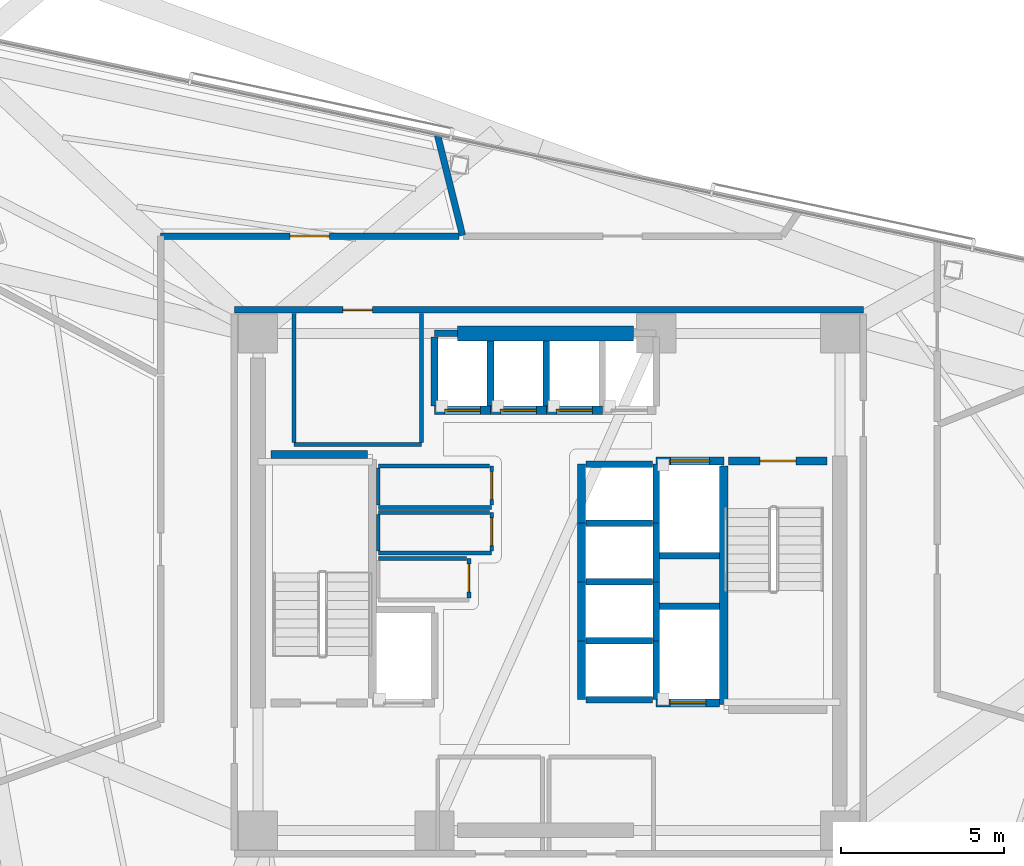
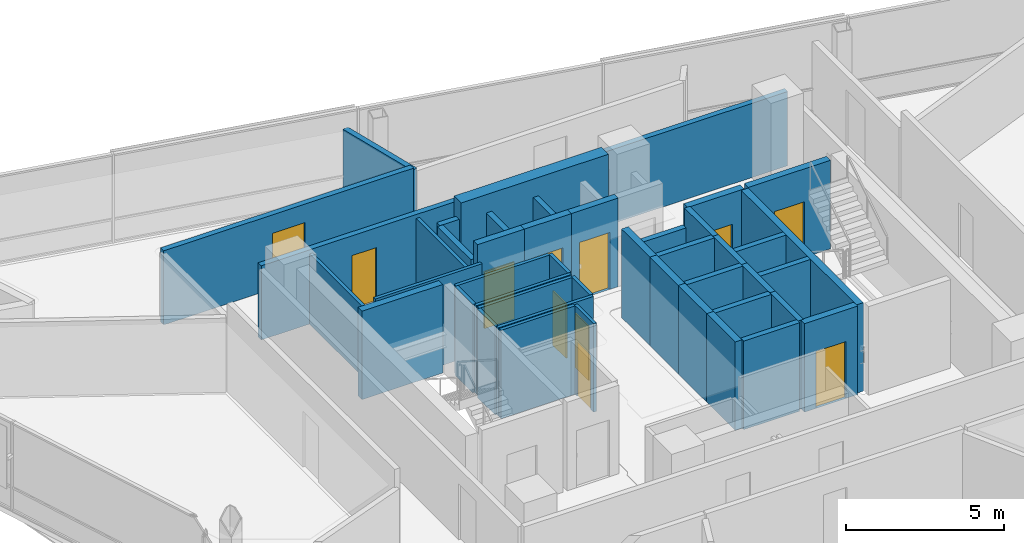
# One storey, part 11 of 17: 44 walls, 11 doors, 11 openings.
"""IFC4 building model written with IfcOpenShell, lengths in metres."""

from ifc_helpers import new_model, si_unit, direction, frame, frame_2d, origin, place, context, subcontext, project, spatial, rectangle, extrude, material, layer, layer_set, type_object, element, fill, save


model = new_model("IFC4")

# Units and contexts
model_context = context("Model", 3, precision=1e-05, world=origin(), true_north=direction((0.0, 1.0)))
body_context = subcontext(model_context, "Body", "Model", "MODEL_VIEW")
ifc_project = project(units=[si_unit("LENGTHUNIT", "METRE"), si_unit("AREAUNIT", "SQUARE_METRE"), si_unit("VOLUMEUNIT", "CUBIC_METRE"), si_unit("PLANEANGLEUNIT", "RADIAN"), si_unit("MASSUNIT", "GRAM", prefix="KILO")], contexts=[model_context])

# Site, building, storey
site_placement = place(None, origin())
site = spatial("IfcSite", under=ifc_project, at=site_placement, CompositionType="ELEMENT")
building_placement = place(site_placement, origin())
building = spatial("IfcBuilding", under=site, at=building_placement, Name="Tharavind Bronze Gate", CompositionType="ELEMENT")
storey_placement = place(building_placement, frame((0.0, 0.0, 196.85009765625)))
storey = spatial("IfcBuildingStorey", under=building, at=storey_placement, Name="L50", CompositionType="ELEMENT", Elevation=196.85009765625)

# Wall, opening, door
ifc_material_1 = material(Name="Aerated Concrete Block", Category="concrete")
ifc_layer_1 = layer(ifc_material_1, 0.199951171875)
ifc_layer_set_1 = layer_set([ifc_layer_1], Name="Aerated Concrete Block")
wall_type_1 = type_object("IfcWallType", Name="FIRE RATED PARTITION 200", PredefinedType="PARTITIONING", material=ifc_layer_set_1)
wall_1_placement = place(storey_placement, frame((9.6201171875, 8.320068359375, 0.0), z_axis=(0.0, 0.0, 1.0), x_axis=(-1.0, 0.0, 0.0)))
wall_1 = element("IfcWall", 1, at=wall_1_placement, inside=storey, type_object=wall_type_1, Name="L50 north core corridor wall", PredefinedType="PARTITIONING", context=body_context, shape_type="SweptSolid", body=[
    extrude(rectangle(XDim=19.240234375, YDim=0.199951171875, at=frame_2d((9.6201171875, 0.0))), origin(), (0.0, 0.0, 1.0), 2.864990234375),
])
opening_1_placement = place(wall_1_placement, frame((15.02001953125, 0.0, 0.0)))
opening_1 = element("IfcOpeningElement", 2, at=opening_1_placement, cuts=wall_1, Name="Opening ID07", PredefinedType="OPENING", context=body_context, shape_type="SweptSolid", body=[
    extrude(rectangle(XDim=0.89990234375, YDim=2.10009765625, at=frame_2d((0.449951171875, 1.050048828125))), frame((0.0, 0.11009765625, 0.0), z_axis=(0.0, -1.0, 0.0), x_axis=(1.0, 0.0, 0.0)), (0.0, 0.0, 1.0), 0.219951171875),
])
ifc_material_2 = material(Name="Galvanised Fire Steel", Category="steel")
door_type_1 = type_object("IfcDoorType", Name="PLANT AND RISER FIRE DOOR 900X2100", OperationType="SINGLE_SWING_LEFT", PredefinedType="DOOR", material=ifc_material_2)
door_1_placement = place(opening_1_placement, frame((0.89990234375, 0.0, 0.0), z_axis=(0.0, 0.0, 1.0), x_axis=(-1.0, 0.0, 0.0)))
door_1 = element("IfcDoor", 3, at=door_1_placement, inside=storey, type_object=door_type_1, Name="L50 Electrical Switch Room fire door", OperationType="SINGLE_SWING_LEFT", OverallHeight=2.10009765625, OverallWidth=0.89990234375, PredefinedType="DOOR", context=body_context, shape_type="SweptSolid", body=[
    extrude(rectangle(XDim=0.89990234375, YDim=2.10009765625, at=frame_2d((0.449951171875, 1.050048828125))), frame((0.0, 0.02490234375, 0.0), z_axis=(0.0, -1.0, 0.0), x_axis=(1.0, 0.0, 0.0)), (0.0, 0.0, 1.0), 0.050048828125),
])
fill(opening_1, door_1)

# Wall
wall_2_placement = place(storey_placement, frame((-2.642578125, 10.59912109375, 0.0), z_axis=(0.0, 0.0, 1.0), x_axis=(-0.241953175614, 0.970287926757, 0.0)))
element("IfcWall", 4, at=wall_2_placement, inside=storey, type_object=wall_type_1, Name="L50 Business Concierge Lounge partition", PredefinedType="PARTITIONING", context=body_context, shape_type="SweptSolid", body=[
    extrude(rectangle(XDim=3.15625, YDim=0.199951171875, at=frame_2d((1.578125, 0.0))), origin(), (0.0, 0.0, 1.0), 2.71484375),
])

# Wall, opening, door
wall_3_placement = place(storey_placement, frame((-2.74609375, 10.580078125, 0.0), z_axis=(0.0, 0.0, 1.0), x_axis=(-1.0, 0.0, 0.0)))
wall_3 = element("IfcWall", 5, at=wall_3_placement, inside=storey, type_object=wall_type_1, Name="L50 Executive Briefing Room partition", PredefinedType="PARTITIONING", context=body_context, shape_type="SweptSolid", body=[
    extrude(rectangle(XDim=9.13330078125, YDim=0.199951171875, at=frame_2d((4.566650390625, 0.0))), origin(), (0.0, 0.0, 1.0), 2.864990234375),
])
opening_2_placement = place(wall_3_placement, frame((3.967041015625, 0.0, 0.0)))
opening_2 = element("IfcOpeningElement", 6, at=opening_2_placement, cuts=wall_3, Name="Opening ID05", PredefinedType="OPENING", context=body_context, shape_type="SweptSolid", body=[
    extrude(rectangle(XDim=1.199951171875, YDim=2.14990234375, at=frame_2d((0.60009765625, 1.074951171875))), frame((0.0, 0.11009765625, 0.0), z_axis=(0.0, -1.0, 0.0), x_axis=(1.0, 0.0, 0.0)), (0.0, 0.0, 1.0), 0.219951171875),
])
ifc_material_3 = material(Name="Acoustic Laminated Glass", Category="glass")
door_type_2 = type_object("IfcDoorType", Name="MEETING ROOM GLAZED DOOR 1200X2150", OperationType="SINGLE_SWING_LEFT", PredefinedType="DOOR", material=ifc_material_3)
door_2_placement = place(opening_2_placement, origin())
door_2 = element("IfcDoor", 7, at=door_2_placement, inside=storey, type_object=door_type_2, Name="L50 Executive Briefing Room door", OperationType="SINGLE_SWING_LEFT", OverallHeight=2.14990234375, OverallWidth=1.199951171875, PredefinedType="DOOR", context=body_context, shape_type="SweptSolid", body=[
    extrude(rectangle(XDim=1.199951171875, YDim=2.14990234375, at=frame_2d((0.60009765625, 1.074951171875))), frame((0.0, 0.02490234375, 0.0), z_axis=(0.0, -1.0, 0.0), x_axis=(1.0, 0.0, 0.0)), (0.0, 0.0, 1.0), 0.050048828125),
])
fill(opening_2, door_2)

# Wall
ifc_material_4 = material(Name="Metal Stud Gypsum Partition", Category="gypsum")
ifc_layer_2 = layer(ifc_material_4, 0.1201171875)
ifc_layer_set_2 = layer_set([ifc_layer_2], Name="Metal Stud Gypsum Partition")
wall_type_2 = type_object("IfcWallType", Name="INTERIOR PARTITION WALL 120", PredefinedType="PARTITIONING", material=ifc_layer_set_2)
wall_4_placement = place(storey_placement, frame((-5.219970703125, 2.280029296875, 0.0), z_axis=(0.0, 0.0, 1.0), x_axis=(1.0, 0.0, 0.0)))
element("IfcWall", 8, at=wall_4_placement, inside=storey, type_object=wall_type_2, Name="L50 Housekeeping Linen Store partition 1", PredefinedType="PARTITIONING", context=body_context, shape_type="SweptSolid", body=[
    extrude(rectangle(XDim=3.469970703125, YDim=0.1201171875, at=frame_2d((1.73486328125, 0.0))), origin(), (0.0, 0.0, 1.0), 3.419921875),
])

# Wall, opening, door
wall_5_placement = place(storey_placement, frame((-1.75, 2.344970703125, 0.0), z_axis=(0.0, 0.0, 1.0), x_axis=(0.0, 1.0, 0.0)))
wall_5 = element("IfcWall", 9, at=wall_5_placement, inside=storey, type_object=wall_type_2, Name="L50 Housekeeping Linen Store partition 2", PredefinedType="PARTITIONING", context=body_context, shape_type="SweptSolid", body=[
    extrude(rectangle(XDim=1.205078125, YDim=0.1201171875, at=frame_2d((0.6025390625, 0.0))), origin(), (0.0, 0.0, 1.0), 3.419921875),
])
opening_3_placement = place(wall_5_placement, frame((0.177001953125, 0.0, 0.0)))
opening_3 = element("IfcOpeningElement", 10, at=opening_3_placement, cuts=wall_5, Name="Opening ID06", PredefinedType="OPENING", context=body_context, shape_type="SweptSolid", body=[
    extrude(rectangle(XDim=0.85009765625, YDim=2.10009765625, at=frame_2d((0.425048828125, 1.050048828125))), frame((0.0, 0.07005859375, 0.0), z_axis=(0.0, -1.0, 0.0), x_axis=(1.0, 0.0, 0.0)), (0.0, 0.0, 1.0), 0.1401171875),
])
ifc_material_5 = material(Name="Moisture-Resistant Timber", Category="wood")
door_type_3 = type_object("IfcDoorType", Name="BATHROOM PRIVACY DOOR 850X2100", OperationType="SINGLE_SWING_RIGHT", PredefinedType="DOOR", material=ifc_material_5)
door_3_placement = place(opening_3_placement, frame((0.85009765625, 0.0, 0.0), z_axis=(0.0, 0.0, 1.0), x_axis=(-1.0, 0.0, 0.0)))
door_3 = element("IfcDoor", 11, at=door_3_placement, inside=storey, type_object=door_type_3, Name="L50 Housekeeping Linen Store door", OperationType="SINGLE_SWING_RIGHT", OverallHeight=2.10009765625, OverallWidth=0.85009765625, PredefinedType="DOOR", context=body_context, shape_type="SweptSolid", body=[
    extrude(rectangle(XDim=0.85009765625, YDim=2.10009765625, at=frame_2d((0.425048828125, 1.050048828125))), frame((0.0, 0.02490234375, 0.0), z_axis=(0.0, -1.0, 0.0), x_axis=(1.0, 0.0, 0.0)), (0.0, 0.0, 1.0), 0.050048828125),
])
fill(opening_3, door_3)

# Walls
wall_6_placement = place(storey_placement, frame((-1.81494140625, 3.550048828125, 0.0), z_axis=(0.0, 0.0, 1.0), x_axis=(-1.0, 0.0, 0.0)))
element("IfcWall", 12, at=wall_6_placement, inside=storey, type_object=wall_type_2, Name="L50 Housekeeping Linen Store partition 3", PredefinedType="PARTITIONING", context=body_context, shape_type="SweptSolid", body=[
    extrude(rectangle(XDim=3.405029296875, YDim=0.1201171875, at=frame_2d((1.70263671875, 0.0))), origin(), (0.0, 0.0, 1.0), 3.419921875),
])
wall_7_placement = place(storey_placement, frame((-5.219970703125, 3.485107421875, 0.0), z_axis=(0.0, 0.0, 1.0), x_axis=(0.0, -1.0, 0.0)))
element("IfcWall", 13, at=wall_7_placement, inside=storey, type_object=wall_type_2, Name="L50 Housekeeping Linen Store partition 4", PredefinedType="PARTITIONING", context=body_context, shape_type="SweptSolid", body=[
    extrude(rectangle(XDim=1.14013671875, YDim=0.1201171875, at=frame_2d((0.570068359375, 0.0))), origin(), (0.0, 0.0, 1.0), 3.419921875),
])
wall_8_placement = place(storey_placement, frame((-5.219970703125, 0.8798828125, 0.0), z_axis=(0.0, 0.0, 1.0), x_axis=(1.0, 0.0, 0.0)))
element("IfcWall", 14, at=wall_8_placement, inside=storey, type_object=wall_type_2, Name="L50 Comms Data Room partition 1", PredefinedType="PARTITIONING", context=body_context, shape_type="SweptSolid", body=[
    extrude(rectangle(XDim=3.469970703125, YDim=0.1201171875, at=frame_2d((1.73486328125, 0.0))), origin(), (0.0, 0.0, 1.0), 3.419921875),
])

# Wall, opening, door
wall_9_placement = place(storey_placement, frame((-1.75, 0.945068359375, 0.0), z_axis=(0.0, 0.0, 1.0), x_axis=(0.0, 1.0, 0.0)))
wall_9 = element("IfcWall", 15, at=wall_9_placement, inside=storey, type_object=wall_type_2, Name="L50 Comms Data Room partition 2", PredefinedType="PARTITIONING", context=body_context, shape_type="SweptSolid", body=[
    extrude(rectangle(XDim=1.175048828125, YDim=0.1201171875, at=frame_2d((0.58740234375, 0.0))), origin(), (0.0, 0.0, 1.0), 3.419921875),
])
opening_4_placement = place(wall_9_placement, frame((0.1630859375, 0.0, 0.0)))
opening_4 = element("IfcOpeningElement", 16, at=opening_4_placement, cuts=wall_9, Name="Opening ID06", PredefinedType="OPENING", context=body_context, shape_type="SweptSolid", body=[
    extrude(rectangle(XDim=0.85009765625, YDim=2.10009765625, at=frame_2d((0.425048828125, 1.050048828125))), frame((0.0, 0.07005859375, 0.0), z_axis=(0.0, -1.0, 0.0), x_axis=(1.0, 0.0, 0.0)), (0.0, 0.0, 1.0), 0.1401171875),
])
door_4_placement = place(opening_4_placement, frame((0.85009765625, 0.0, 0.0), z_axis=(0.0, 0.0, 1.0), x_axis=(-1.0, 0.0, 0.0)))
door_4 = element("IfcDoor", 17, at=door_4_placement, inside=storey, type_object=door_type_3, Name="L50 Comms Data Room door", OperationType="SINGLE_SWING_RIGHT", OverallHeight=2.10009765625, OverallWidth=0.85009765625, PredefinedType="DOOR", context=body_context, shape_type="SweptSolid", body=[
    extrude(rectangle(XDim=0.85009765625, YDim=2.10009765625, at=frame_2d((0.425048828125, 1.050048828125))), frame((0.0, 0.02490234375, 0.0), z_axis=(0.0, -1.0, 0.0), x_axis=(1.0, 0.0, 0.0)), (0.0, 0.0, 1.0), 0.050048828125),
])
fill(opening_4, door_4)

# Walls
wall_10_placement = place(storey_placement, frame((-1.81494140625, 2.1201171875, 0.0), z_axis=(0.0, 0.0, 1.0), x_axis=(-1.0, 0.0, 0.0)))
element("IfcWall", 18, at=wall_10_placement, inside=storey, type_object=wall_type_2, Name="L50 Comms Data Room partition 3", PredefinedType="PARTITIONING", context=body_context, shape_type="SweptSolid", body=[
    extrude(rectangle(XDim=3.405029296875, YDim=0.1201171875, at=frame_2d((1.70263671875, 0.0))), origin(), (0.0, 0.0, 1.0), 3.419921875),
])
wall_11_placement = place(storey_placement, frame((-5.219970703125, 2.054931640625, 0.0), z_axis=(0.0, 0.0, 1.0), x_axis=(0.0, -1.0, 0.0)))
element("IfcWall", 19, at=wall_11_placement, inside=storey, type_object=wall_type_2, Name="L50 Comms Data Room partition 4", PredefinedType="PARTITIONING", context=body_context, shape_type="SweptSolid", body=[
    extrude(rectangle(XDim=1.10986328125, YDim=0.1201171875, at=frame_2d((0.554931640625, 0.0))), origin(), (0.0, 0.0, 1.0), 3.419921875),
])

# Wall, opening, door
wall_12_placement = place(storey_placement, frame((-2.449951171875, -0.485107421875, 0.0), z_axis=(0.0, 0.0, 1.0), x_axis=(0.0, 1.0, 0.0)))
wall_12 = element("IfcWall", 20, at=wall_12_placement, inside=storey, type_object=wall_type_2, Name="L50 Electrical Metering Store partition 2", PredefinedType="PARTITIONING", context=body_context, shape_type="SweptSolid", body=[
    extrude(rectangle(XDim=1.205078125, YDim=0.1201171875, at=frame_2d((0.6025390625, 0.0))), origin(), (0.0, 0.0, 1.0), 3.419921875),
])
opening_5_placement = place(wall_12_placement, frame((0.177978515625, 0.0, 0.0)))
opening_5 = element("IfcOpeningElement", 21, at=opening_5_placement, cuts=wall_12, Name="Opening ID06", PredefinedType="OPENING", context=body_context, shape_type="SweptSolid", body=[
    extrude(rectangle(XDim=0.85009765625, YDim=2.10009765625, at=frame_2d((0.425048828125, 1.050048828125))), frame((0.0, 0.07005859375, 0.0), z_axis=(0.0, -1.0, 0.0), x_axis=(1.0, 0.0, 0.0)), (0.0, 0.0, 1.0), 0.1401171875),
])
door_5_placement = place(opening_5_placement, frame((0.85009765625, 0.0, 0.0), z_axis=(0.0, 0.0, 1.0), x_axis=(-1.0, 0.0, 0.0)))
door_5 = element("IfcDoor", 22, at=door_5_placement, inside=storey, type_object=door_type_3, Name="L50 Electrical Metering Store door", OperationType="SINGLE_SWING_RIGHT", OverallHeight=2.10009765625, OverallWidth=0.85009765625, PredefinedType="DOOR", context=body_context, shape_type="SweptSolid", body=[
    extrude(rectangle(XDim=0.85009765625, YDim=2.10009765625, at=frame_2d((0.425048828125, 1.050048828125))), frame((0.0, 0.02490234375, 0.0), z_axis=(0.0, -1.0, 0.0), x_axis=(1.0, 0.0, 0.0)), (0.0, 0.0, 1.0), 0.050048828125),
])
fill(opening_5, door_5)

# Walls
wall_13_placement = place(storey_placement, frame((-2.514892578125, 0.719970703125, 0.0), z_axis=(0.0, 0.0, 1.0), x_axis=(-1.0, 0.0, 0.0)))
element("IfcWall", 23, at=wall_13_placement, inside=storey, type_object=wall_type_2, Name="L50 Electrical Metering Store partition 3", PredefinedType="PARTITIONING", context=body_context, shape_type="SweptSolid", body=[
    extrude(rectangle(XDim=2.705078125, YDim=0.1201171875, at=frame_2d((1.3525390625, 0.0))), origin(), (0.0, 0.0, 1.0), 3.419921875),
])
wall_14_placement = place(storey_placement, frame((-7.800048828125, 4.199951171875, 0.0), z_axis=(0.0, 0.0, 1.0), x_axis=(1.0, 0.0, 0.0)))
element("IfcWall", 24, at=wall_14_placement, inside=storey, type_object=wall_type_2, Name="L50 Electrical Switch Room partition 1", PredefinedType="PARTITIONING", context=body_context, shape_type="SweptSolid", body=[
    extrude(rectangle(XDim=3.900146484375, YDim=0.1201171875, at=frame_2d((1.9501953125, 0.0))), origin(), (0.0, 0.0, 1.0), 3.419921875),
])
for number, where, z_axis, x_axis, name in (
    (25, (-3.89990234375, 4.264892578125, 0.0), (0.0, 0.0, 1.0), (0.0, 1.0, 0.0), "L50 Electrical Switch Room partition 2"),
    (26, (-7.800048828125, 8.215087890625, 0.0), (0.0, 0.0, 1.0), (0.0, -1.0, 0.0), "L50 Electrical Switch Room partition 4"),
):
    element("IfcWall", number, at=place(storey_placement, frame(where, z_axis=z_axis, x_axis=x_axis)), inside=storey, type_object=wall_type_2, Name=name, PredefinedType="PARTITIONING", context=body_context, shape_type="SweptSolid", body=[
        extrude(rectangle(XDim=3.9501953125, YDim=0.1201171875, at=frame_2d((1.97509765625, 0.0))), origin(), (0.0, 0.0, 1.0), 2.71484375),
    ])
ifc_material_6 = material(Name="Concrete C50/60", Category="concrete")
ifc_layer_3 = layer(ifc_material_6, 0.25)
ifc_layer_set_3 = layer_set([ifc_layer_3], Name="Concrete C50/60")
wall_type_3 = type_object("IfcWallType", Name="RC CORE SHEAR WALL 250", PredefinedType="SHEAR", material=ifc_layer_set_3)
wall_15_placement = place(storey_placement, frame((-8.5, 3.89990234375, 0.0), z_axis=(0.0, 0.0, 1.0), x_axis=(1.0, 0.0, 0.0)))
element("IfcWall", 27, at=wall_15_placement, inside=storey, type_object=wall_type_3, Name="L50 ST1 shaft north wall", PredefinedType="SHEAR", context=body_context, shape_type="SweptSolid", body=[
    extrude(rectangle(XDim=2.949951171875, YDim=0.25, at=frame_2d((1.47509765625, 0.0))), origin(), (0.0, 0.0, 1.0), 3.419921875),
])
wall_16_placement = place(storey_placement, frame((5.35009765625, -3.75, 0.0), z_axis=(0.0, 0.0, 1.0), x_axis=(0.0, 1.0, 0.0)))
element("IfcWall", 28, at=wall_16_placement, inside=storey, type_object=wall_type_3, Name="L50 ST2 shaft west wall", PredefinedType="SHEAR", context=body_context, shape_type="SweptSolid", body=[
    extrude(rectangle(XDim=7.300048828125, YDim=0.25, at=frame_2d((3.64990234375, 0.0))), origin(), (0.0, 0.0, 1.0), 3.419921875),
])

# Wall, opening, door
wall_17_placement = place(storey_placement, frame((5.5, 3.699951171875, 0.0), z_axis=(0.0, 0.0, 1.0), x_axis=(1.0, 0.0, 0.0)))
wall_17 = element("IfcWall", 29, at=wall_17_placement, inside=storey, type_object=wall_type_3, Name="L50 ST2 shaft north wall", PredefinedType="SHEAR", context=body_context, shape_type="SweptSolid", body=[
    extrude(rectangle(XDim=3.0, YDim=0.25, at=frame_2d((1.5, 0.0))), origin(), (0.0, 0.0, 1.0), 3.419921875),
])
opening_6_placement = place(wall_17_placement, frame((0.949951171875, 0.0, 0.0)))
opening_6 = element("IfcOpeningElement", 30, at=opening_6_placement, cuts=wall_17, Name="Opening ID01", PredefinedType="OPENING", context=body_context, shape_type="SweptSolid", body=[
    extrude(rectangle(XDim=1.10009765625, YDim=2.14990234375, at=frame_2d((0.550048828125, 1.074951171875))), frame((0.0, 0.135, 0.0), z_axis=(0.0, -1.0, 0.0), x_axis=(1.0, 0.0, 0.0)), (0.0, 0.0, 1.0), 0.27),
])
ifc_material_7 = material(Name="Fire-Rated Steel", Category="steel")
door_type_4 = type_object("IfcDoorType", Name="STAIR CORE FIRE DOOR 1100X2150", OperationType="SINGLE_SWING_LEFT", PredefinedType="DOOR", material=ifc_material_7)
door_6_placement = place(opening_6_placement, frame((1.10009765625, 0.0, 0.0), z_axis=(0.0, 0.0, 1.0), x_axis=(-1.0, 0.0, 0.0)))
door_6 = element("IfcDoor", 31, at=door_6_placement, inside=storey, type_object=door_type_4, Name="L50 exit stair ST2 fire door", OperationType="SINGLE_SWING_LEFT", OverallHeight=2.14990234375, OverallWidth=1.10009765625, PredefinedType="DOOR", context=body_context, shape_type="SweptSolid", body=[
    extrude(rectangle(XDim=1.10009765625, YDim=2.14990234375, at=frame_2d((0.550048828125, 1.074951171875))), frame((0.0, 0.02490234375, 0.0), z_axis=(0.0, -1.0, 0.0), x_axis=(1.0, 0.0, 0.0)), (0.0, 0.0, 1.0), 0.050048828125),
])
fill(opening_6, door_6)

wall_18_placement = place(storey_placement, frame((-3.5, 5.25, 0.0), z_axis=(0.0, 0.0, 1.0), x_axis=(1.0, 0.0, 0.0)))
wall_18 = element("IfcWall", 32, at=wall_18_placement, inside=storey, type_object=wall_type_3, Name="L50 lift PL5 shaft front wall", PredefinedType="SHEAR", context=body_context, shape_type="SweptSolid", body=[
    extrude(rectangle(XDim=1.71240234375, YDim=0.25, at=frame_2d((0.856201171875, 0.0))), origin(), (0.0, 0.0, 1.0), 3.419921875),
])
opening_7_placement = place(wall_18_placement, frame((0.305908203125, 0.0, 0.0)))
opening_7 = element("IfcOpeningElement", 33, at=opening_7_placement, cuts=wall_18, Name="Opening LD01", PredefinedType="OPENING", context=body_context, shape_type="SweptSolid", body=[
    extrude(rectangle(XDim=1.10009765625, YDim=2.199951171875, at=frame_2d((0.550048828125, 1.10009765625))), frame((0.0, 0.135, 0.0), z_axis=(0.0, -1.0, 0.0), x_axis=(1.0, 0.0, 0.0)), (0.0, 0.0, 1.0), 0.27),
])
ifc_material_8 = material(Name="Brushed Bronze Stainless Steel", Category="steel")
door_type_5 = type_object("IfcDoorType", Name="LIFT LANDING SLIDING DOOR 1100X2200", OperationType="SLIDING_TO_LEFT", PredefinedType="DOOR", material=ifc_material_8)
door_7_placement = place(opening_7_placement, origin())
door_7 = element("IfcDoor", 34, at=door_7_placement, inside=storey, type_object=door_type_5, Name="L50 lift PL5 sliding landing door", OperationType="SLIDING_TO_LEFT", OverallHeight=2.199951171875, OverallWidth=1.10009765625, PredefinedType="DOOR", context=body_context, shape_type="SweptSolid", body=[
    extrude(rectangle(XDim=1.10009765625, YDim=2.199951171875, at=frame_2d((0.550048828125, 1.10009765625))), frame((0.0, 0.02490234375, 0.0), z_axis=(0.0, -1.0, 0.0), x_axis=(1.0, 0.0, 0.0)), (0.0, 0.0, 1.0), 0.050048828125),
])
fill(opening_7, door_7)

wall_19_placement = place(storey_placement, frame((-1.78759765625, 5.25, 0.0), z_axis=(0.0, 0.0, 1.0), x_axis=(1.0, 0.0, 0.0)))
wall_19 = element("IfcWall", 35, at=wall_19_placement, inside=storey, type_object=wall_type_3, Name="L50 lift PL6 shaft front wall", PredefinedType="SHEAR", context=body_context, shape_type="SweptSolid", body=[
    extrude(rectangle(XDim=1.712646484375, YDim=0.25, at=frame_2d((0.8564453125, 0.0))), origin(), (0.0, 0.0, 1.0), 3.419921875),
])
opening_8_placement = place(wall_19_placement, frame((0.305908203125, 0.0, 0.0)))
opening_8 = element("IfcOpeningElement", 36, at=opening_8_placement, cuts=wall_19, Name="Opening LD01", PredefinedType="OPENING", context=body_context, shape_type="SweptSolid", body=[
    extrude(rectangle(XDim=1.10009765625, YDim=2.199951171875, at=frame_2d((0.550048828125, 1.10009765625))), frame((0.0, 0.135, 0.0), z_axis=(0.0, -1.0, 0.0), x_axis=(1.0, 0.0, 0.0)), (0.0, 0.0, 1.0), 0.27),
])
door_8_placement = place(opening_8_placement, origin())
door_8 = element("IfcDoor", 37, at=door_8_placement, inside=storey, type_object=door_type_5, Name="L50 lift PL6 sliding landing door", OperationType="SLIDING_TO_LEFT", OverallHeight=2.199951171875, OverallWidth=1.10009765625, PredefinedType="DOOR", context=body_context, shape_type="SweptSolid", body=[
    extrude(rectangle(XDim=1.10009765625, YDim=2.199951171875, at=frame_2d((0.550048828125, 1.10009765625))), frame((0.0, 0.02490234375, 0.0), z_axis=(0.0, -1.0, 0.0), x_axis=(1.0, 0.0, 0.0)), (0.0, 0.0, 1.0), 0.050048828125),
])
fill(opening_8, door_8)

wall_20_placement = place(storey_placement, frame((-0.074951171875, 5.25, 0.0), z_axis=(0.0, 0.0, 1.0), x_axis=(1.0, 0.0, 0.0)))
wall_20 = element("IfcWall", 38, at=wall_20_placement, inside=storey, type_object=wall_type_3, Name="L50 lift PL7 shaft front wall", PredefinedType="SHEAR", context=body_context, shape_type="SweptSolid", body=[
    extrude(rectangle(XDim=1.71240234375, YDim=0.25, at=frame_2d((0.856201171875, 0.0))), origin(), (0.0, 0.0, 1.0), 3.419921875),
])
opening_9_placement = place(wall_20_placement, frame((0.305908203125, 0.0, 0.0)))
opening_9 = element("IfcOpeningElement", 39, at=opening_9_placement, cuts=wall_20, Name="Opening LD01", PredefinedType="OPENING", context=body_context, shape_type="SweptSolid", body=[
    extrude(rectangle(XDim=1.10009765625, YDim=2.199951171875, at=frame_2d((0.550048828125, 1.10009765625))), frame((0.0, 0.135, 0.0), z_axis=(0.0, -1.0, 0.0), x_axis=(1.0, 0.0, 0.0)), (0.0, 0.0, 1.0), 0.27),
])
door_9_placement = place(opening_9_placement, origin())
door_9 = element("IfcDoor", 40, at=door_9_placement, inside=storey, type_object=door_type_5, Name="L50 lift PL7 sliding landing door", OperationType="SLIDING_TO_LEFT", OverallHeight=2.199951171875, OverallWidth=1.10009765625, PredefinedType="DOOR", context=body_context, shape_type="SweptSolid", body=[
    extrude(rectangle(XDim=1.10009765625, YDim=2.199951171875, at=frame_2d((0.550048828125, 1.10009765625))), frame((0.0, 0.02490234375, 0.0), z_axis=(0.0, -1.0, 0.0), x_axis=(1.0, 0.0, 0.0)), (0.0, 0.0, 1.0), 0.050048828125),
])
fill(opening_9, door_9)

# Walls
for number, where, z_axis, x_axis, name in (
    (41, (1.0, -3.60009765625, 0.0), (0.0, 0.0, 1.0), (0.0, 1.0, 0.0), "L50 lift PL9 shaft front wall"),
    (42, (1.0, -1.800048828125, 0.0), (0.0, 0.0, 1.0), (0.0, 1.0, 0.0), "L50 lift PL10 shaft front wall"),
    (43, (1.0, 0.0, 0.0), (0.0, 0.0, 1.0), (0.0, 1.0, 0.0), "L50 lift PL11 shaft front wall"),
    (44, (1.0, 1.800048828125, 0.0), (0.0, 0.0, 1.0), (0.0, 1.0, 0.0), "L50 lift PL12 shaft front wall"),
):
    element("IfcWall", number, at=place(storey_placement, frame(where, z_axis=z_axis, x_axis=x_axis)), inside=storey, type_object=wall_type_3, Name=name, PredefinedType="SHEAR", context=body_context, shape_type="SweptSolid", body=[
        extrude(rectangle(XDim=1.800048828125, YDim=0.25, at=frame_2d((0.89990234375, 0.0))), origin(), (0.0, 0.0, 1.0), 3.419921875),
    ])

# Wall, opening, door
wall_21_placement = place(storey_placement, frame((3.280029296875, 3.699951171875, 0.0), z_axis=(0.0, 0.0, 1.0), x_axis=(1.0, 0.0, 0.0)))
wall_21 = element("IfcWall", 45, at=wall_21_placement, inside=storey, type_object=wall_type_3, Name="L50 lift FFL2 shaft front wall", PredefinedType="SHEAR", context=body_context, shape_type="SweptSolid", body=[
    extrude(rectangle(XDim=2.070068359375, YDim=0.25, at=frame_2d((1.03515625, 0.0))), origin(), (0.0, 0.0, 1.0), 3.419921875),
])
opening_10_placement = place(wall_21_placement, frame((0.43505859375, 0.0, 0.0)))
opening_10 = element("IfcOpeningElement", 46, at=opening_10_placement, cuts=wall_21, Name="Opening LD02", PredefinedType="OPENING", context=body_context, shape_type="SweptSolid", body=[
    extrude(rectangle(XDim=1.199951171875, YDim=2.199951171875, at=frame_2d((0.60009765625, 1.10009765625))), frame((0.0, 0.135, 0.0), z_axis=(0.0, -1.0, 0.0), x_axis=(1.0, 0.0, 0.0)), (0.0, 0.0, 1.0), 0.27),
])
ifc_material_9 = material(Name="Brushed Stainless Steel", Category="steel")
door_type_6 = type_object("IfcDoorType", Name="FIREFIGHTING LIFT LANDING DOOR 1200X2200", OperationType="SLIDING_TO_RIGHT", PredefinedType="DOOR", material=ifc_material_9)
door_10_placement = place(opening_10_placement, origin())
door_10 = element("IfcDoor", 47, at=door_10_placement, inside=storey, type_object=door_type_6, Name="L50 lift FFL2 sliding landing door", OperationType="SLIDING_TO_RIGHT", OverallHeight=2.199951171875, OverallWidth=1.199951171875, PredefinedType="DOOR", context=body_context, shape_type="SweptSolid", body=[
    extrude(rectangle(XDim=1.199951171875, YDim=2.199951171875, at=frame_2d((0.60009765625, 1.10009765625))), frame((0.0, 0.02490234375, 0.0), z_axis=(0.0, -1.0, 0.0), x_axis=(1.0, 0.0, 0.0)), (0.0, 0.0, 1.0), 0.050048828125),
])
fill(opening_10, door_10)

wall_22_placement = place(storey_placement, frame((3.280029296875, -3.699951171875, 0.0), z_axis=(0.0, 0.0, 1.0), x_axis=(1.0, 0.0, 0.0)))
wall_22 = element("IfcWall", 48, at=wall_22_placement, inside=storey, type_object=wall_type_3, Name="L50 lift SVL1 shaft front wall", PredefinedType="SHEAR", context=body_context, shape_type="SweptSolid", body=[
    extrude(rectangle(XDim=1.93994140625, YDim=0.25, at=frame_2d((0.969970703125, 0.0))), origin(), (0.0, 0.0, 1.0), 3.419921875),
])
opening_11_placement = place(wall_22_placement, frame((0.419921875, 0.0, 0.0)))
opening_11 = element("IfcOpeningElement", 49, at=opening_11_placement, cuts=wall_22, Name="Opening LD01", PredefinedType="OPENING", context=body_context, shape_type="SweptSolid", body=[
    extrude(rectangle(XDim=1.10009765625, YDim=2.199951171875, at=frame_2d((0.550048828125, 1.10009765625))), frame((0.0, 0.135, 0.0), z_axis=(0.0, -1.0, 0.0), x_axis=(1.0, 0.0, 0.0)), (0.0, 0.0, 1.0), 0.27),
])
door_11_placement = place(opening_11_placement, origin())
door_11 = element("IfcDoor", 50, at=door_11_placement, inside=storey, type_object=door_type_5, Name="L50 lift SVL1 sliding landing door", OperationType="SLIDING_TO_LEFT", OverallHeight=2.199951171875, OverallWidth=1.10009765625, PredefinedType="DOOR", context=body_context, shape_type="SweptSolid", body=[
    extrude(rectangle(XDim=1.10009765625, YDim=2.199951171875, at=frame_2d((0.550048828125, 1.10009765625))), frame((0.0, 0.02490234375, 0.0), z_axis=(0.0, -1.0, 0.0), x_axis=(1.0, 0.0, 0.0)), (0.0, 0.0, 1.0), 0.050048828125),
])
fill(opening_11, door_11)

# Walls
ifc_material_10 = material(Name="Concrete C60/75", Category="concrete")
ifc_layer_4 = layer(ifc_material_10, 0.449951171875)
ifc_layer_set_4 = layer_set([ifc_layer_4], Name="Concrete C60/75")
wall_type_4 = type_object("IfcWallType", Name="RC CORE SHEAR WALL 450", PredefinedType="SHEAR", material=ifc_layer_set_4)
wall_23_placement = place(storey_placement, frame((-2.800048828125, 7.60009765625, 0.0), z_axis=(0.0, 0.0, 1.0), x_axis=(1.0, 0.0, 0.0)))
element("IfcWall", 51, at=wall_23_placement, inside=storey, type_object=wall_type_4, Name="L50 north core shear wall", PredefinedType="SHEAR", context=body_context, shape_type="SweptSolid", body=[
    extrude(rectangle(XDim=5.380126953125, YDim=0.449951171875, at=frame_2d((2.68994140625, 0.0))), origin(), (0.0, 0.0, 1.0), 3.419921875),
])
ifc_material_11 = material(Name="Concrete C40/50", Category="concrete")
ifc_layer_5 = layer(ifc_material_11, 0.199951171875)
ifc_layer_set_5 = layer_set([ifc_layer_5], Name="Concrete C40/50")
wall_type_5 = type_object("IfcWallType", Name="SHAFT ENCLOSURE WALL 200", PredefinedType="PARTITIONING", material=ifc_layer_set_5)
wall_24_placement = place(storey_placement, frame((-3.5, 7.60009765625, 0.0), z_axis=(0.0, 0.0, 1.0), x_axis=(1.0, 0.0, 0.0)))
element("IfcWall", 52, at=wall_24_placement, inside=storey, type_object=wall_type_5, Name="L50 lift PL5 shaft N enclosure wall", PredefinedType="PARTITIONING", context=body_context, shape_type="SweptSolid", body=[
    extrude(rectangle(XDim=0.699951171875, YDim=0.199951171875, at=frame_2d((0.35009765625, 0.0))), origin(), (0.0, 0.0, 1.0), 2.71484375),
])
wall_25_placement = place(storey_placement, frame((-3.5, 5.3798828125, 0.0), z_axis=(0.0, 0.0, 1.0), x_axis=(0.0, 1.0, 0.0)))
element("IfcWall", 53, at=wall_25_placement, inside=storey, type_object=wall_type_5, Name="L50 lift PL5 shaft W enclosure wall", PredefinedType="PARTITIONING", context=body_context, shape_type="SweptSolid", body=[
    extrude(rectangle(XDim=2.115234375, YDim=0.199951171875, at=frame_2d((1.0576171875, 0.0))), origin(), (0.0, 0.0, 1.0), 2.71484375),
])
for number, where, z_axis, x_axis, name in (
    (54, (-1.78759765625, 5.3798828125, 0.0), (0.0, 0.0, 1.0), (0.0, 1.0, 0.0), "L50 lift PL5 shaft E enclosure wall"),
    (55, (-0.074951171875, 5.3798828125, 0.0), (0.0, 0.0, 1.0), (0.0, 1.0, 0.0), "L50 lift PL6 shaft E enclosure wall"),
):
    element("IfcWall", number, at=place(storey_placement, frame(where, z_axis=z_axis, x_axis=x_axis)), inside=storey, type_object=wall_type_5, Name=name, PredefinedType="PARTITIONING", context=body_context, shape_type="SweptSolid", body=[
        extrude(rectangle(XDim=1.990234375, YDim=0.199951171875, at=frame_2d((0.9951171875, 0.0))), origin(), (0.0, 0.0, 1.0), 2.71484375),
    ])
wall_26_placement = place(storey_placement, frame((3.280029296875, -3.60009765625, 0.0), z_axis=(0.0, 0.0, 1.0), x_axis=(0.0, 1.0, 0.0)))
element("IfcWall", 56, at=wall_26_placement, inside=storey, type_object=wall_type_5, Name="L50 lift PL9 shaft E enclosure wall", PredefinedType="PARTITIONING", context=body_context, shape_type="SweptSolid", body=[
    extrude(rectangle(XDim=1.800048828125, YDim=0.199951171875, at=frame_2d((0.89990234375, 0.0))), origin(), (0.0, 0.0, 1.0), 3.419921875),
])
for number, where, z_axis, x_axis, name in (
    (57, (1.1298828125, -3.60009765625, 0.0), (0.0, 0.0, 1.0), (1.0, 0.0, 0.0), "L50 lift PL9 shaft S enclosure wall"),
    (58, (1.1298828125, -1.800048828125, 0.0), (0.0, 0.0, 1.0), (1.0, 0.0, 0.0), "L50 lift PL9 shaft N enclosure wall"),
):
    element("IfcWall", number, at=place(storey_placement, frame(where, z_axis=z_axis, x_axis=x_axis)), inside=storey, type_object=wall_type_5, Name=name, PredefinedType="PARTITIONING", context=body_context, shape_type="SweptSolid", body=[
        extrude(rectangle(XDim=2.045166015625, YDim=0.199951171875, at=frame_2d((1.0224609375, 0.0))), origin(), (0.0, 0.0, 1.0), 3.419921875),
    ])
wall_27_placement = place(storey_placement, frame((3.280029296875, -1.800048828125, 0.0), z_axis=(0.0, 0.0, 1.0), x_axis=(0.0, 1.0, 0.0)))
element("IfcWall", 59, at=wall_27_placement, inside=storey, type_object=wall_type_5, Name="L50 lift PL10 shaft E enclosure wall", PredefinedType="PARTITIONING", context=body_context, shape_type="SweptSolid", body=[
    extrude(rectangle(XDim=1.800048828125, YDim=0.199951171875, at=frame_2d((0.89990234375, 0.0))), origin(), (0.0, 0.0, 1.0), 3.419921875),
])
wall_28_placement = place(storey_placement, frame((1.1298828125, 0.0, 0.0), z_axis=(0.0, 0.0, 1.0), x_axis=(1.0, 0.0, 0.0)))
element("IfcWall", 60, at=wall_28_placement, inside=storey, type_object=wall_type_5, Name="L50 lift PL10 shaft N enclosure wall", PredefinedType="PARTITIONING", context=body_context, shape_type="SweptSolid", body=[
    extrude(rectangle(XDim=2.045166015625, YDim=0.199951171875, at=frame_2d((1.0224609375, 0.0))), origin(), (0.0, 0.0, 1.0), 3.419921875),
])
wall_29_placement = place(storey_placement, frame((3.280029296875, 0.0, 0.0), z_axis=(0.0, 0.0, 1.0), x_axis=(0.0, 1.0, 0.0)))
element("IfcWall", 61, at=wall_29_placement, inside=storey, type_object=wall_type_5, Name="L50 lift PL11 shaft E enclosure wall", PredefinedType="PARTITIONING", context=body_context, shape_type="SweptSolid", body=[
    extrude(rectangle(XDim=1.800048828125, YDim=0.199951171875, at=frame_2d((0.89990234375, 0.0))), origin(), (0.0, 0.0, 1.0), 3.419921875),
])
wall_30_placement = place(storey_placement, frame((1.1298828125, 1.800048828125, 0.0), z_axis=(0.0, 0.0, 1.0), x_axis=(1.0, 0.0, 0.0)))
element("IfcWall", 62, at=wall_30_placement, inside=storey, type_object=wall_type_5, Name="L50 lift PL11 shaft N enclosure wall", PredefinedType="PARTITIONING", context=body_context, shape_type="SweptSolid", body=[
    extrude(rectangle(XDim=2.045166015625, YDim=0.199951171875, at=frame_2d((1.0224609375, 0.0))), origin(), (0.0, 0.0, 1.0), 3.419921875),
])
wall_31_placement = place(storey_placement, frame((3.280029296875, 1.800048828125, 0.0), z_axis=(0.0, 0.0, 1.0), x_axis=(0.0, 1.0, 0.0)))
element("IfcWall", 63, at=wall_31_placement, inside=storey, type_object=wall_type_5, Name="L50 lift PL12 shaft E enclosure wall", PredefinedType="PARTITIONING", context=body_context, shape_type="SweptSolid", body=[
    extrude(rectangle(XDim=1.800048828125, YDim=0.199951171875, at=frame_2d((0.89990234375, 0.0))), origin(), (0.0, 0.0, 1.0), 3.419921875),
])
wall_32_placement = place(storey_placement, frame((1.1298828125, 3.60009765625, 0.0), z_axis=(0.0, 0.0, 1.0), x_axis=(1.0, 0.0, 0.0)))
element("IfcWall", 64, at=wall_32_placement, inside=storey, type_object=wall_type_5, Name="L50 lift PL12 shaft N enclosure wall", PredefinedType="PARTITIONING", context=body_context, shape_type="SweptSolid", body=[
    extrude(rectangle(XDim=2.045166015625, YDim=0.199951171875, at=frame_2d((1.0224609375, 0.0))), origin(), (0.0, 0.0, 1.0), 2.71484375),
])
for number, where, z_axis, x_axis, name in (
    (65, (3.385009765625, 0.800048828125, 0.0), (0.0, 0.0, 1.0), (1.0, 0.0, 0.0), "L50 lift FFL2 shaft S enclosure wall"),
    (66, (3.385009765625, -0.75, 0.0), (0.0, 0.0, 1.0), (1.0, 0.0, 0.0), "L50 lift SVL1 shaft N enclosure wall"),
):
    element("IfcWall", number, at=place(storey_placement, frame(where, z_axis=z_axis, x_axis=x_axis)), inside=storey, type_object=wall_type_5, Name=name, PredefinedType="PARTITIONING", context=body_context, shape_type="SweptSolid", body=[
        extrude(rectangle(XDim=1.8349609375, YDim=0.199951171875, at=frame_2d((0.91748046875, 0.0))), origin(), (0.0, 0.0, 1.0), 3.419921875),
    ])

save(model, "model.ifc")
